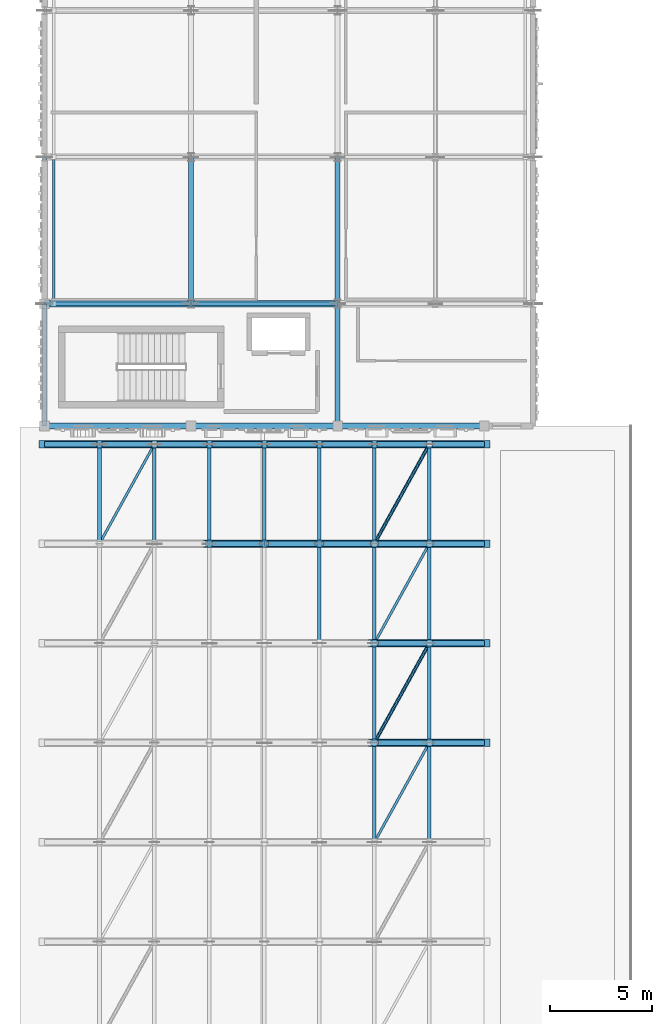
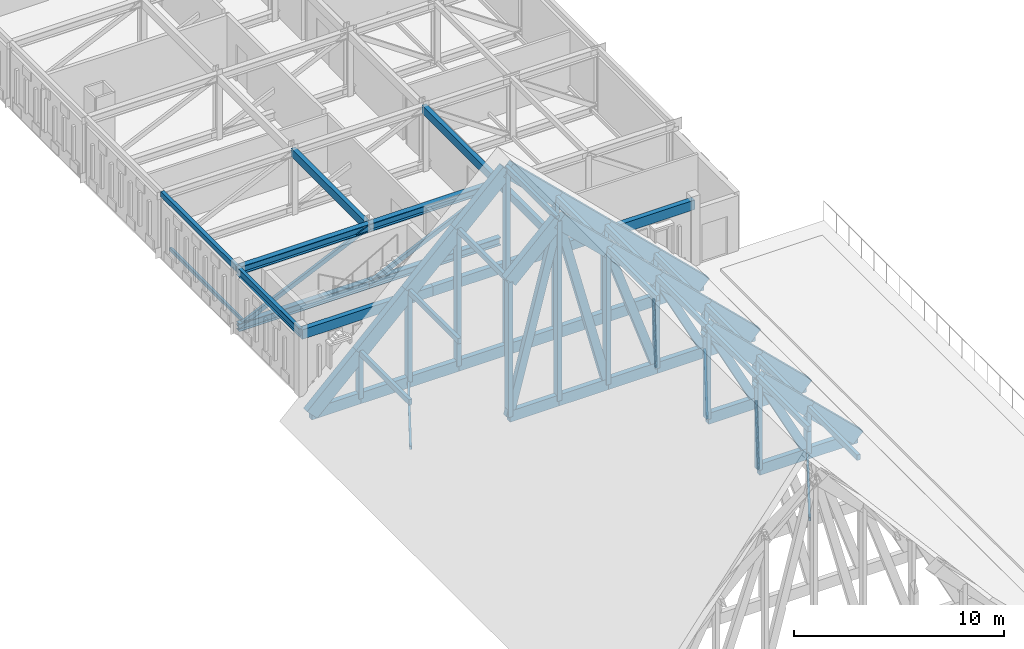
# One storey, part 9 of 79: 82 members, 8 beams.
"""IFC4 building model written with IfcOpenShell, lengths in metres."""

from ifc_helpers import new_model, si_unit, direction, frame, origin, origin_2d, place, context, subcontext, project, spatial, rectangle, hollow_rectangle, hollow_circle, i_section, extrude, material, material_profile, profile_set, type_object, element, save


model = new_model("IFC4")

# Units and contexts
model_context = context("Model", 3, precision=1e-05, world=origin(), true_north=direction((0.0, 1.0)))
body_context = subcontext(model_context, "Body", "Model", "MODEL_VIEW")
ifc_project = project(units=[si_unit("LENGTHUNIT", "METRE"), si_unit("AREAUNIT", "SQUARE_METRE"), si_unit("VOLUMEUNIT", "CUBIC_METRE"), si_unit("PLANEANGLEUNIT", "RADIAN"), si_unit("MASSUNIT", "GRAM", prefix="KILO")], contexts=[model_context])

# Site, building, storey
site_placement = place(None, origin())
site = spatial("IfcSite", under=ifc_project, at=site_placement, CompositionType="ELEMENT")
building_placement = place(site_placement, origin())
building = spatial("IfcBuilding", under=site, at=building_placement, Name="Nzembalo Square Collegiate School", CompositionType="ELEMENT")
storey_placement = place(building_placement, frame((0.0, 0.0, 9.52001953125)))
storey = spatial("IfcBuildingStorey", under=building, at=storey_placement, Name="L02", CompositionType="ELEMENT", Elevation=9.52001953125)

# Beams
ifc_material_1 = material(Name="Glulam GL28h", Category="wood")
ifc_material_profile_1 = material_profile(ifc_material_1, rectangle(XDim=0.280029296875, YDim=0.56005859375, at=origin_2d()), Name="GL28h 280x560")
ifc_profile_set_1 = profile_set([ifc_material_profile_1], Name="Glulam GL28h")
beam_type_1 = type_object("IfcBeamType", Name="B05", PredefinedType="BEAM", material=ifc_profile_set_1)
beam_1_placement = place(storey_placement, frame((8.39990234375, 44.39990234375, 3.5048828125), z_axis=(1.0, 0.0, 0.0), x_axis=(0.0, 1.0, 0.0)))
element("IfcBeam", 1, at=beam_1_placement, inside=storey, type_object=beam_type_1, Name="Beam B05 L02", PredefinedType="BEAM", context=body_context, shape_type="SweptSolid", body=[
    extrude(rectangle(XDim=0.280029296875, YDim=0.56005859375, at=origin_2d()), origin(), (0.0, 0.0, 1.0), 7.2001953125),
])
for number, where, z_axis, x_axis, name in (
    (2, (15.60009765625, 44.39990234375, 3.5048828125), (1.0, 0.0, 0.0), (0.0, 1.0, 0.0), "Beam B05 L02"),
    (3, (22.800048828125, 44.39990234375, 3.5048828125), (1.0, 0.0, 0.0), (0.0, 1.0, 0.0), "Beam B05 L02"),
):
    element("IfcBeam", number, at=place(storey_placement, frame(where, z_axis=z_axis, x_axis=x_axis)), inside=storey, type_object=beam_type_1, Name=name, PredefinedType="BEAM", context=body_context, shape_type="SweptSolid", body=[
        extrude(rectangle(XDim=0.280029296875, YDim=0.56005859375, at=origin_2d()), origin(), (0.0, 0.0, 1.0), 7.199951171875),
    ])
ifc_material_2 = material(Name="Glulam GL28h", Category="wood")
ifc_material_profile_2 = material_profile(ifc_material_2, rectangle(XDim=0.239990234375, YDim=0.47998046875, at=origin_2d()), Name="GL28h 240x480")
ifc_profile_set_2 = profile_set([ifc_material_profile_2], Name="Glulam GL28h")
beam_type_2 = type_object("IfcBeamType", Name="B06", PredefinedType="BEAM", material=ifc_profile_set_2)
beam_2_placement = place(storey_placement, frame((15.60009765625, 50.39990234375, 3.544921875), z_axis=(0.0, 1.0, 0.0), x_axis=(-1.0, 0.0, 0.0)))
element("IfcBeam", 4, at=beam_2_placement, inside=storey, type_object=beam_type_2, Name="Beam B06 L02", PredefinedType="BEAM", context=body_context, shape_type="SweptSolid", body=[
    extrude(rectangle(XDim=0.239990234375, YDim=0.47998046875, at=origin_2d()), origin(), (0.0, 0.0, 1.0), 7.2001953125),
])
beam_3_placement = place(storey_placement, frame((22.800048828125, 44.39990234375, 3.544921875), z_axis=(0.0, 1.0, 0.0), x_axis=(-1.0, 0.0, 0.0)))
element("IfcBeam", 5, at=beam_3_placement, inside=storey, type_object=beam_type_2, Name="Beam B06 L02", PredefinedType="BEAM", context=body_context, shape_type="SweptSolid", body=[
    extrude(rectangle(XDim=0.239990234375, YDim=0.47998046875, at=origin_2d()), origin(), (0.0, 0.0, 1.0), 6.0),
])
beam_4_placement = place(storey_placement, frame((22.800048828125, 50.39990234375, 3.544921875), z_axis=(0.0, 1.0, 0.0), x_axis=(-1.0, 0.0, 0.0)))
element("IfcBeam", 6, at=beam_4_placement, inside=storey, type_object=beam_type_2, Name="Beam B06 L02", PredefinedType="BEAM", context=body_context, shape_type="SweptSolid", body=[
    extrude(rectangle(XDim=0.239990234375, YDim=0.47998046875, at=origin_2d()), origin(), (0.0, 0.0, 1.0), 7.2001953125),
])
ifc_material_3 = material(Name="Steel S355", Category="steel")
ifc_material_profile_3 = material_profile(ifc_material_3, i_section(OverallWidth=0.18994140625, OverallDepth=0.449951171875, WebThickness=0.009521484375, FlangeThickness=0.0146484375, at=origin_2d()), Name="IPE 450")
ifc_profile_set_3 = profile_set([ifc_material_profile_3], Name="Steel S355")
beam_type_3 = type_object("IfcBeamType", Name="B09", PredefinedType="BEAM", material=ifc_profile_set_3)
beam_5_placement = place(storey_placement, frame((8.39990234375, 44.39990234375, 3.56005859375), z_axis=(0.0, 1.0, 0.0), x_axis=(-1.0, 0.0, 0.0)))
element("IfcBeam", 7, at=beam_5_placement, inside=storey, type_object=beam_type_3, Name="Beam B09 L02", PredefinedType="BEAM", context=body_context, shape_type="SweptSolid", body=[
    extrude(i_section(OverallWidth=0.18994140625, OverallDepth=0.449951171875, WebThickness=0.009521484375, FlangeThickness=0.0146484375, at=origin_2d()), origin(), (0.0, 0.0, 1.0), 6.0),
])
ifc_material_4 = material(Name="Steel S355", Category="steel")
ifc_material_profile_4 = material_profile(ifc_material_4, hollow_rectangle(XDim=0.199951171875, YDim=0.300048828125, WallThickness=0.011962890625, at=origin_2d()), Name="RHS 300x200x12")
ifc_profile_set_4 = profile_set([ifc_material_profile_4], Name="Steel S355")
beam_type_4 = type_object("IfcBeamType", Name="SP03", PredefinedType="SPANDREL", material=ifc_profile_set_4)
beam_6_placement = place(storey_placement, frame((8.39990234375, 50.39990234375, 3.635009765625), z_axis=(0.0, 1.0, 0.0), x_axis=(-1.0, 0.0, 0.0)))
element("IfcBeam", 8, at=beam_6_placement, inside=storey, type_object=beam_type_4, Name="Cantilever edge beam SP03 4A L02", PredefinedType="SPANDREL", context=body_context, shape_type="SweptSolid", body=[
    extrude(hollow_rectangle(XDim=0.199951171875, YDim=0.300048828125, WallThickness=0.011962890625, at=origin_2d()), origin(), (0.0, 0.0, 1.0), 7.2001953125),
])

# Members
ifc_material_5 = material(Name="Steel S355", Category="steel")
ifc_material_profile_5 = material_profile(ifc_material_5, hollow_circle(Radius=0.083984375, WallThickness=0.008056640625, at=origin_2d()), Name="CHS 168x8")
ifc_profile_set_5 = profile_set([ifc_material_profile_5], Name="Steel S355")
member_type_1 = type_object("IfcMemberType", Name="BR01", PredefinedType="BRACE", material=ifc_profile_set_5)
for number, where, z_axis, x_axis, name in (
    (9, (24.60009765625, 28.843017578125, -0.60009765625), (0.483695810536, 0.875236175481, 0.0), (-0.875236175481, 0.483695810536, 0.0), "Roof wind brace BR01 GT-SH1-06-6"),
    (10, (24.60009765625, 38.6142578125, -0.60009765625), (0.483677294843, 0.875246407849, 0.0), (-0.875246407849, 0.483677294843, 0.0), "Roof wind brace BR01 GT-SH1-08-6"),
):
    element("IfcMember", number, at=place(storey_placement, frame(where, z_axis=z_axis, x_axis=x_axis)), inside=storey, type_object=member_type_1, Name=name, PredefinedType="BRACE", context=body_context, shape_type="SweptSolid", body=[
        extrude(hollow_circle(Radius=0.083984375, WallThickness=0.008056640625, at=origin_2d()), origin(), (0.0, 0.0, 1.0), 5.58203125),
    ])
ifc_material_6 = material(Name="Steel S355", Category="steel")
ifc_material_profile_6 = material_profile(ifc_material_6, hollow_rectangle(XDim=0.1201171875, YDim=0.199951171875, WallThickness=0.008056640625, at=origin_2d()), Name="RHS 200x120x8")
ifc_profile_set_6 = profile_set([ifc_material_profile_6], Name="Steel S355")
member_type_2 = type_object("IfcMemberType", Name="BR02", PredefinedType="BRACE", material=ifc_profile_set_6)
member_1_placement = place(storey_placement, frame((24.60009765625, 23.95703125, -0.60009765625), z_axis=(0.483658780352, 0.875256639043, 0.0), x_axis=(-0.875256639043, 0.483658780352, 0.0)))
element("IfcMember", 11, at=member_1_placement, inside=storey, type_object=member_type_2, Name="Roof wind brace BR02 GT-SH1-05-6", PredefinedType="BRACE", context=body_context, shape_type="SweptSolid", body=[
    extrude(hollow_rectangle(XDim=0.1201171875, YDim=0.199951171875, WallThickness=0.008056640625, at=origin_2d()), origin(), (0.0, 0.0, 1.0), 5.582275390625),
])
for number, where, z_axis, x_axis, name in (
    (12, (24.60009765625, 33.728515625, -0.60009765625), (0.483677294843, 0.875246407849, 0.0), (-0.875246407849, 0.483677294843, 0.0), "Roof wind brace BR02 GT-SH1-07-6"),
    (13, (11.10009765625, 38.6142578125, -0.60009765625), (0.483677294843, 0.875246407849, 0.0), (-0.875246407849, 0.483677294843, 0.0), "Roof wind brace BR02 GT-SH1-08-1"),
):
    element("IfcMember", number, at=place(storey_placement, frame(where, z_axis=z_axis, x_axis=x_axis)), inside=storey, type_object=member_type_2, Name=name, PredefinedType="BRACE", context=body_context, shape_type="SweptSolid", body=[
        extrude(hollow_rectangle(XDim=0.1201171875, YDim=0.199951171875, WallThickness=0.008056640625, at=origin_2d()), origin(), (0.0, 0.0, 1.0), 5.58203125),
    ])
member_2_placement = place(storey_placement, frame((8.85009765625, 50.39990234375, 0.260009765625), z_axis=(0.0, 1.0, 0.0), x_axis=(-1.0, 0.0, 0.0)))
element("IfcMember", 14, at=member_2_placement, inside=storey, type_object=member_type_2, Name="Cantilever outer bottom-chord tie 4A", PredefinedType="BRACE", context=body_context, shape_type="SweptSolid", body=[
    extrude(hollow_rectangle(XDim=0.1201171875, YDim=0.199951171875, WallThickness=0.008056640625, at=origin_2d()), origin(), (0.0, 0.0, 1.0), 7.2001953125),
])
ifc_material_7 = material(Name="Glulam GL28h", Category="wood")
ifc_material_profile_7 = material_profile(ifc_material_7, rectangle(XDim=0.179931640625, YDim=0.320068359375, at=origin_2d()), Name="GL28h 180x320")
ifc_profile_set_7 = profile_set([ifc_material_profile_7], Name="Glulam GL28h")
member_type_3 = type_object("IfcMemberType", Name="PR01", PredefinedType="PURLIN", material=ifc_profile_set_7)
for number, where, z_axis, x_axis, name in (
    (15, (24.60009765625, 23.95703125, 4.675048828125), (0.0, 1.0, 0.0), (-1.0, 0.0, 0.0), "Roof purlin PR01 GT-SH1-05-6"),
    (16, (27.300048828125, 23.95703125, 2.058349609375), (0.0, 1.0, 0.0), (-1.0, 0.0, 0.0), "Roof purlin PR01 GT-SH1-05-7"),
):
    element("IfcMember", number, at=place(storey_placement, frame(where, z_axis=z_axis, x_axis=x_axis)), inside=storey, type_object=member_type_3, Name=name, PredefinedType="PURLIN", context=body_context, shape_type="SweptSolid", body=[
        extrude(rectangle(XDim=0.179931640625, YDim=0.320068359375, at=origin_2d()), origin(), (0.0, 0.0, 1.0), 4.885986328125),
    ])
for number, where, z_axis, x_axis, name in (
    (17, (24.60009765625, 28.843017578125, 4.675048828125), (0.0, 1.0, 0.0), (-1.0, 0.0, 0.0), "Roof purlin PR01 GT-SH1-06-6"),
    (18, (27.300048828125, 28.843017578125, 2.058349609375), (0.0, 1.0, 0.0), (-1.0, 0.0, 0.0), "Roof purlin PR01 GT-SH1-06-7"),
):
    element("IfcMember", number, at=place(storey_placement, frame(where, z_axis=z_axis, x_axis=x_axis)), inside=storey, type_object=member_type_3, Name=name, PredefinedType="PURLIN", context=body_context, shape_type="SweptSolid", body=[
        extrude(rectangle(XDim=0.179931640625, YDim=0.320068359375, at=origin_2d()), origin(), (0.0, 0.0, 1.0), 4.885498046875),
    ])
for number, where, z_axis, x_axis, name in (
    (19, (21.89990234375, 33.728515625, 7.2900390625), (0.0, 1.0, 0.0), (-1.0, 0.0, 0.0), "Roof purlin PR01 GT-SH1-07-5"),
    (20, (24.60009765625, 33.728515625, 4.675048828125), (0.0, 1.0, 0.0), (-1.0, 0.0, 0.0), "Roof purlin PR01 GT-SH1-07-6"),
    (21, (27.300048828125, 33.728515625, 2.058349609375), (0.0, 1.0, 0.0), (-1.0, 0.0, 0.0), "Roof purlin PR01 GT-SH1-07-7"),
    (22, (11.10009765625, 38.6142578125, 2.058349609375), (0.0, 1.0, 0.0), (-1.0, 0.0, 0.0), "Roof purlin PR01 GT-SH1-08-1"),
    (23, (13.800048828125, 38.6142578125, 4.675048828125), (0.0, 1.0, 0.0), (-1.0, 0.0, 0.0), "Roof purlin PR01 GT-SH1-08-2"),
    (24, (16.5, 38.6142578125, 7.2900390625), (0.0, 1.0, 0.0), (-1.0, 0.0, 0.0), "Roof purlin PR01 GT-SH1-08-3"),
    (25, (19.199951171875, 38.6142578125, 9.905029296875), (0.0, 1.0, 0.0), (-1.0, 0.0, 0.0), "Roof purlin PR01 GT-SH1-08-4"),
    (26, (21.89990234375, 38.6142578125, 7.2900390625), (0.0, 1.0, 0.0), (-1.0, 0.0, 0.0), "Roof purlin PR01 GT-SH1-08-5"),
    (27, (24.60009765625, 38.6142578125, 4.675048828125), (0.0, 1.0, 0.0), (-1.0, 0.0, 0.0), "Roof purlin PR01 GT-SH1-08-6"),
    (28, (27.300048828125, 38.6142578125, 2.058349609375), (0.0, 1.0, 0.0), (-1.0, 0.0, 0.0), "Roof purlin PR01 GT-SH1-08-7"),
):
    element("IfcMember", number, at=place(storey_placement, frame(where, z_axis=z_axis, x_axis=x_axis)), inside=storey, type_object=member_type_3, Name=name, PredefinedType="PURLIN", context=body_context, shape_type="SweptSolid", body=[
        extrude(rectangle(XDim=0.179931640625, YDim=0.320068359375, at=origin_2d()), origin(), (0.0, 0.0, 1.0), 4.8857421875),
    ])
ifc_material_8 = material(Name="Glulam GL32h", Category="wood")
ifc_material_profile_8 = material_profile(ifc_material_8, rectangle(XDim=0.360107421875, YDim=0.800048828125, at=origin_2d()), Name="GL32h 360x800")
ifc_profile_set_8 = profile_set([ifc_material_profile_8], Name="Glulam GL32h")
member_type_4 = type_object("IfcMemberType", Name="TC01", PredefinedType="CHORD", material=ifc_profile_set_8)
for number, where, z_axis, x_axis, name in (
    (29, (24.60009765625, 28.843017578125, 4.6298828125), (0.71831832581, 0.0, -0.695714584298), (0.0, 1.0, 0.0), "GT-SH1-05 top chord 7"),
    (30, (27.300048828125, 28.843017578125, 2.014892578125), (0.71831832581, 0.0, -0.695714584298), (0.0, 1.0, 0.0), "GT-SH1-05 top chord 8"),
    (31, (24.60009765625, 33.728515625, 4.6298828125), (0.71831832581, 0.0, -0.695714584298), (0.0, 1.0, 0.0), "GT-SH1-06 top chord 7"),
    (32, (27.300048828125, 33.728515625, 2.014892578125), (0.71831832581, 0.0, -0.695714584298), (0.0, 1.0, 0.0), "GT-SH1-06 top chord 8"),
    (33, (16.5, 38.6142578125, 7.244873046875), (0.71831832581, 0.0, 0.695714584298), (0.0, 1.0, 0.0), "GT-SH1-07 top chord 4"),
    (34, (19.199951171875, 38.6142578125, 9.85986328125), (0.71831832581, 0.0, -0.695714584298), (0.0, 1.0, 0.0), "GT-SH1-07 top chord 5"),
    (35, (21.89990234375, 38.6142578125, 7.244873046875), (0.718349762218, 0.0, -0.695682125056), (0.0, 1.0, 0.0), "GT-SH1-07 top chord 6"),
    (36, (24.60009765625, 38.6142578125, 4.6298828125), (0.71831832581, 0.0, -0.695714584298), (0.0, 1.0, 0.0), "GT-SH1-07 top chord 7"),
    (37, (27.300048828125, 38.6142578125, 2.014892578125), (0.71831832581, 0.0, -0.695714584298), (0.0, 1.0, 0.0), "GT-SH1-07 top chord 8"),
    (38, (8.39990234375, 43.5, -0.60009765625), (0.718349762218, 0.0, 0.695682125056), (0.0, 1.0, 0.0), "GT-SH1-08 top chord 1"),
    (39, (11.10009765625, 43.5, 2.014892578125), (0.71831832581, 0.0, 0.695714584298), (0.0, 1.0, 0.0), "GT-SH1-08 top chord 2"),
    (40, (13.800048828125, 43.5, 4.6298828125), (0.71831832581, 0.0, 0.695714584298), (0.0, 1.0, 0.0), "GT-SH1-08 top chord 3"),
    (41, (16.5, 43.5, 7.244873046875), (0.71831832581, 0.0, 0.695714584298), (0.0, 1.0, 0.0), "GT-SH1-08 top chord 4"),
    (42, (19.199951171875, 43.5, 9.85986328125), (0.71831832581, 0.0, -0.695714584298), (0.0, 1.0, 0.0), "GT-SH1-08 top chord 5"),
    (43, (21.89990234375, 43.5, 7.244873046875), (0.718349762218, 0.0, -0.695682125056), (0.0, 1.0, 0.0), "GT-SH1-08 top chord 6"),
    (44, (24.60009765625, 43.5, 4.6298828125), (0.71831832581, 0.0, -0.695714584298), (0.0, 1.0, 0.0), "GT-SH1-08 top chord 7"),
    (45, (27.300048828125, 43.5, 2.014892578125), (0.71831832581, 0.0, -0.695714584298), (0.0, 1.0, 0.0), "GT-SH1-08 top chord 8"),
):
    element("IfcMember", number, at=place(storey_placement, frame(where, z_axis=z_axis, x_axis=x_axis)), inside=storey, type_object=member_type_4, Name=name, PredefinedType="CHORD", context=body_context, shape_type="SweptSolid", body=[
        extrude(rectangle(XDim=0.360107421875, YDim=0.800048828125, at=origin_2d()), origin(), (0.0, 0.0, 1.0), 3.7587890625),
    ])
ifc_material_9 = material(Name="Glulam GL32h", Category="wood")
ifc_material_profile_9 = material_profile(ifc_material_9, rectangle(XDim=0.280029296875, YDim=0.639892578125, at=origin_2d()), Name="GL32h 280x640")
ifc_profile_set_9 = profile_set([ifc_material_profile_9], Name="Glulam GL32h")
member_type_5 = type_object("IfcMemberType", Name="TC02", PredefinedType="CHORD", material=ifc_profile_set_9)
for number, where, z_axis, x_axis, name in (
    (46, (24.60009765625, 28.843017578125, -0.60009765625), (1.0, 0.0, 0.0), (0.0, 1.0, 0.0), "GT-SH1-05 bottom chord 7"),
    (47, (27.300048828125, 28.843017578125, -0.60009765625), (1.0, 0.0, 0.0), (0.0, 1.0, 0.0), "GT-SH1-05 bottom chord 8"),
    (48, (24.60009765625, 33.728515625, -0.60009765625), (1.0, 0.0, 0.0), (0.0, 1.0, 0.0), "GT-SH1-06 bottom chord 7"),
    (49, (27.300048828125, 33.728515625, -0.60009765625), (1.0, 0.0, 0.0), (0.0, 1.0, 0.0), "GT-SH1-06 bottom chord 8"),
    (50, (16.5, 38.6142578125, -0.60009765625), (1.0, 0.0, 0.0), (0.0, 1.0, 0.0), "GT-SH1-07 bottom chord 4"),
    (51, (19.199951171875, 38.6142578125, -0.60009765625), (1.0, 0.0, 0.0), (0.0, 1.0, 0.0), "GT-SH1-07 bottom chord 5"),
):
    element("IfcMember", number, at=place(storey_placement, frame(where, z_axis=z_axis, x_axis=x_axis)), inside=storey, type_object=member_type_5, Name=name, PredefinedType="CHORD", context=body_context, shape_type="SweptSolid", body=[
        extrude(rectangle(XDim=0.280029296875, YDim=0.639892578125, at=origin_2d()), origin(), (0.0, 0.0, 1.0), 2.699951171875),
    ])
member_3_placement = place(storey_placement, frame((21.89990234375, 38.6142578125, -0.60009765625), z_axis=(1.0, 0.0, 0.0), x_axis=(0.0, 1.0, 0.0)))
element("IfcMember", 52, at=member_3_placement, inside=storey, type_object=member_type_5, Name="GT-SH1-07 bottom chord 6", PredefinedType="CHORD", context=body_context, shape_type="SweptSolid", body=[
    extrude(rectangle(XDim=0.280029296875, YDim=0.639892578125, at=origin_2d()), origin(), (0.0, 0.0, 1.0), 2.7001953125),
])
for number, where, z_axis, x_axis, name in (
    (53, (24.60009765625, 38.6142578125, -0.60009765625), (1.0, 0.0, 0.0), (0.0, 1.0, 0.0), "GT-SH1-07 bottom chord 7"),
    (54, (27.300048828125, 38.6142578125, -0.60009765625), (1.0, 0.0, 0.0), (0.0, 1.0, 0.0), "GT-SH1-07 bottom chord 8"),
):
    element("IfcMember", number, at=place(storey_placement, frame(where, z_axis=z_axis, x_axis=x_axis)), inside=storey, type_object=member_type_5, Name=name, PredefinedType="CHORD", context=body_context, shape_type="SweptSolid", body=[
        extrude(rectangle(XDim=0.280029296875, YDim=0.639892578125, at=origin_2d()), origin(), (0.0, 0.0, 1.0), 2.699951171875),
    ])
member_4_placement = place(storey_placement, frame((8.39990234375, 43.5, -0.60009765625), z_axis=(1.0, 0.0, 0.0), x_axis=(0.0, 1.0, 0.0)))
element("IfcMember", 55, at=member_4_placement, inside=storey, type_object=member_type_5, Name="GT-SH1-08 bottom chord 1", PredefinedType="CHORD", context=body_context, shape_type="SweptSolid", body=[
    extrude(rectangle(XDim=0.280029296875, YDim=0.639892578125, at=origin_2d()), origin(), (0.0, 0.0, 1.0), 2.7001953125),
])
for number, where, z_axis, x_axis, name in (
    (56, (11.10009765625, 43.5, -0.60009765625), (1.0, 0.0, 0.0), (0.0, 1.0, 0.0), "GT-SH1-08 bottom chord 2"),
    (57, (13.800048828125, 43.5, -0.60009765625), (1.0, 0.0, 0.0), (0.0, 1.0, 0.0), "GT-SH1-08 bottom chord 3"),
    (58, (16.5, 43.5, -0.60009765625), (1.0, 0.0, 0.0), (0.0, 1.0, 0.0), "GT-SH1-08 bottom chord 4"),
    (59, (19.199951171875, 43.5, -0.60009765625), (1.0, 0.0, 0.0), (0.0, 1.0, 0.0), "GT-SH1-08 bottom chord 5"),
):
    element("IfcMember", number, at=place(storey_placement, frame(where, z_axis=z_axis, x_axis=x_axis)), inside=storey, type_object=member_type_5, Name=name, PredefinedType="CHORD", context=body_context, shape_type="SweptSolid", body=[
        extrude(rectangle(XDim=0.280029296875, YDim=0.639892578125, at=origin_2d()), origin(), (0.0, 0.0, 1.0), 2.699951171875),
    ])
member_5_placement = place(storey_placement, frame((21.89990234375, 43.5, -0.60009765625), z_axis=(1.0, 0.0, 0.0), x_axis=(0.0, 1.0, 0.0)))
element("IfcMember", 60, at=member_5_placement, inside=storey, type_object=member_type_5, Name="GT-SH1-08 bottom chord 6", PredefinedType="CHORD", context=body_context, shape_type="SweptSolid", body=[
    extrude(rectangle(XDim=0.280029296875, YDim=0.639892578125, at=origin_2d()), origin(), (0.0, 0.0, 1.0), 2.7001953125),
])
for number, where, z_axis, x_axis, name in (
    (61, (24.60009765625, 43.5, -0.60009765625), (1.0, 0.0, 0.0), (0.0, 1.0, 0.0), "GT-SH1-08 bottom chord 7"),
    (62, (27.300048828125, 43.5, -0.60009765625), (1.0, 0.0, 0.0), (0.0, 1.0, 0.0), "GT-SH1-08 bottom chord 8"),
):
    element("IfcMember", number, at=place(storey_placement, frame(where, z_axis=z_axis, x_axis=x_axis)), inside=storey, type_object=member_type_5, Name=name, PredefinedType="CHORD", context=body_context, shape_type="SweptSolid", body=[
        extrude(rectangle(XDim=0.280029296875, YDim=0.639892578125, at=origin_2d()), origin(), (0.0, 0.0, 1.0), 2.699951171875),
    ])
ifc_material_10 = material(Name="Steel S355", Category="steel")
ifc_material_profile_10 = material_profile(ifc_material_10, i_section(OverallWidth=0.300048828125, OverallDepth=0.449951171875, WebThickness=0.013916015625, FlangeThickness=0.02587890625, at=origin_2d()), Name="HEB 450")
ifc_profile_set_10 = profile_set([ifc_material_profile_10], Name="Steel S355")
member_type_6 = type_object("IfcMemberType", Name="TC03", PredefinedType="CHORD", material=ifc_profile_set_10)
for number, where, z_axis, x_axis, name in (
    (63, (8.39990234375, 50.39990234375, 3.56005859375), (1.0, 0.0, 0.0), (0.0, 1.0, 0.0), "TT-4A-01 top chord 1"),
    (64, (8.39990234375, 50.39990234375, 0.260009765625), (1.0, 0.0, 0.0), (0.0, 1.0, 0.0), "TT-4A-01 bottom chord 1"),
):
    element("IfcMember", number, at=place(storey_placement, frame(where, z_axis=z_axis, x_axis=x_axis)), inside=storey, type_object=member_type_6, Name=name, PredefinedType="CHORD", context=body_context, shape_type="SweptSolid", body=[
        extrude(i_section(OverallWidth=0.300048828125, OverallDepth=0.449951171875, WebThickness=0.013916015625, FlangeThickness=0.02587890625, at=origin_2d()), origin(), (0.0, 0.0, 1.0), 7.2001953125),
    ])
for number, where, z_axis, x_axis, name in (
    (65, (15.60009765625, 50.39990234375, 3.56005859375), (1.0, 0.0, 0.0), (0.0, 1.0, 0.0), "TT-4A-01 top chord 2"),
    (66, (15.60009765625, 50.39990234375, 0.260009765625), (1.0, 0.0, 0.0), (0.0, 1.0, 0.0), "TT-4A-01 bottom chord 2"),
):
    element("IfcMember", number, at=place(storey_placement, frame(where, z_axis=z_axis, x_axis=x_axis)), inside=storey, type_object=member_type_6, Name=name, PredefinedType="CHORD", context=body_context, shape_type="SweptSolid", body=[
        extrude(i_section(OverallWidth=0.300048828125, OverallDepth=0.449951171875, WebThickness=0.013916015625, FlangeThickness=0.02587890625, at=origin_2d()), origin(), (0.0, 0.0, 1.0), 7.199951171875),
    ])
ifc_material_11 = material(Name="Glulam GL32h", Category="wood")
ifc_material_profile_11 = material_profile(ifc_material_11, rectangle(XDim=0.280029296875, YDim=0.43994140625, at=origin_2d()), Name="GL32h 280x440")
ifc_profile_set_11 = profile_set([ifc_material_profile_11], Name="Glulam GL32h")
member_type_7 = type_object("IfcMemberType", Name="TD01", PredefinedType="BRACE", material=ifc_profile_set_11)
for number, where, z_axis, x_axis, name in (
    (67, (27.300048828125, 28.843017578125, -0.60009765625), (-0.458724275369, 0.0, 0.888578662352), (0.0, -1.0, 0.0), "GT-SH1-05 web diagonal 6"),
    (68, (27.300048828125, 33.728515625, -0.60009765625), (-0.458724275369, 0.0, 0.888578662352), (0.0, -1.0, 0.0), "GT-SH1-06 web diagonal 6"),
):
    element("IfcMember", number, at=place(storey_placement, frame(where, z_axis=z_axis, x_axis=x_axis)), inside=storey, type_object=member_type_7, Name=name, PredefinedType="BRACE", context=body_context, shape_type="SweptSolid", body=[
        extrude(rectangle(XDim=0.280029296875, YDim=0.43994140625, at=origin_2d()), origin(), (0.0, 0.0, 1.0), 5.8857421875),
    ])
for number, where, z_axis, x_axis, name in (
    (69, (16.5, 38.6142578125, -0.60009765625), (0.249930648512, 0.0, 0.96826374038), (0.0, 1.0, 0.0), "GT-SH1-07 web diagonal 3"),
    (70, (21.89990234375, 38.6142578125, -0.60009765625), (-0.249930648512, 0.0, 0.96826374038), (0.0, -1.0, 0.0), "GT-SH1-07 web diagonal 4"),
):
    element("IfcMember", number, at=place(storey_placement, frame(where, z_axis=z_axis, x_axis=x_axis)), inside=storey, type_object=member_type_7, Name=name, PredefinedType="BRACE", context=body_context, shape_type="SweptSolid", body=[
        extrude(rectangle(XDim=0.280029296875, YDim=0.43994140625, at=origin_2d()), origin(), (0.0, 0.0, 1.0), 10.802734375),
    ])
member_6_placement = place(storey_placement, frame((24.60009765625, 38.6142578125, -0.60009765625), z_axis=(-0.325455577893, 0.0, 0.945557331323), x_axis=(0.0, -1.0, 0.0)))
element("IfcMember", 71, at=member_6_placement, inside=storey, type_object=member_type_7, Name="GT-SH1-07 web diagonal 5", PredefinedType="BRACE", context=body_context, shape_type="SweptSolid", body=[
    extrude(rectangle(XDim=0.280029296875, YDim=0.43994140625, at=origin_2d()), origin(), (0.0, 0.0, 1.0), 8.296630859375),
])
member_7_placement = place(storey_placement, frame((27.300048828125, 38.6142578125, -0.60009765625), z_axis=(-0.458724275369, 0.0, 0.888578662352), x_axis=(0.0, -1.0, 0.0)))
element("IfcMember", 72, at=member_7_placement, inside=storey, type_object=member_type_7, Name="GT-SH1-07 web diagonal 6", PredefinedType="BRACE", context=body_context, shape_type="SweptSolid", body=[
    extrude(rectangle(XDim=0.280029296875, YDim=0.43994140625, at=origin_2d()), origin(), (0.0, 0.0, 1.0), 5.8857421875),
])
ifc_material_12 = material(Name="Steel S355", Category="steel")
ifc_material_profile_12 = material_profile(ifc_material_12, hollow_rectangle(XDim=0.14990234375, YDim=0.25, WallThickness=0.010009765625, at=origin_2d()), Name="RHS 250x150x10")
ifc_profile_set_12 = profile_set([ifc_material_profile_12], Name="Steel S355")
member_type_8 = type_object("IfcMemberType", Name="TD03", PredefinedType="BRACE", material=ifc_profile_set_12)
member_8_placement = place(storey_placement, frame((8.39990234375, 50.39990234375, 0.260009765625), z_axis=(0.909066768744, 0.0, 0.416650464977), x_axis=(0.0, 1.0, 0.0)))
element("IfcMember", 73, at=member_8_placement, inside=storey, type_object=member_type_8, Name="TT-4A-01 web diagonal 1", PredefinedType="BRACE", context=body_context, shape_type="SweptSolid", body=[
    extrude(hollow_rectangle(XDim=0.14990234375, YDim=0.25, WallThickness=0.010009765625, at=origin_2d()), origin(), (0.0, 0.0, 1.0), 7.92041015625),
])
member_9_placement = place(storey_placement, frame((15.60009765625, 50.39990234375, 0.260009765625), z_axis=(0.909061417515, 0.0, 0.416662140332), x_axis=(0.0, 1.0, 0.0)))
element("IfcMember", 74, at=member_9_placement, inside=storey, type_object=member_type_8, Name="TT-4A-01 web diagonal 2", PredefinedType="BRACE", context=body_context, shape_type="SweptSolid", body=[
    extrude(hollow_rectangle(XDim=0.14990234375, YDim=0.25, WallThickness=0.010009765625, at=origin_2d()), origin(), (0.0, 0.0, 1.0), 7.920166015625),
])
ifc_material_13 = material(Name="Glulam GL32h", Category="wood")
ifc_material_profile_13 = material_profile(ifc_material_13, rectangle(XDim=0.239990234375, YDim=0.360107421875, at=origin_2d()), Name="GL32h 240x360")
ifc_profile_set_13 = profile_set([ifc_material_profile_13], Name="Glulam GL32h")
member_type_9 = type_object("IfcMemberType", Name="TP01", PredefinedType="POST", material=ifc_profile_set_13)
member_10_placement = place(storey_placement, frame((24.60009765625, 28.843017578125, -0.60009765625), z_axis=(0.0, 0.0, 1.0), x_axis=(1.0, 0.0, 0.0)))
element("IfcMember", 75, at=member_10_placement, inside=storey, type_object=member_type_9, Name="GT-SH1-05 vertical post 6", PredefinedType="POST", context=body_context, shape_type="SweptSolid", body=[
    extrude(rectangle(XDim=0.239990234375, YDim=0.360107421875, at=origin_2d()), origin(), (0.0, 0.0, 1.0), 5.22998046875),
])
member_11_placement = place(storey_placement, frame((27.300048828125, 28.843017578125, -0.60009765625), z_axis=(0.0, 0.0, 1.0), x_axis=(1.0, 0.0, 0.0)))
element("IfcMember", 76, at=member_11_placement, inside=storey, type_object=member_type_9, Name="GT-SH1-05 vertical post 7", PredefinedType="POST", context=body_context, shape_type="SweptSolid", body=[
    extrude(rectangle(XDim=0.239990234375, YDim=0.360107421875, at=origin_2d()), origin(), (0.0, 0.0, 1.0), 2.614990234375),
])
member_12_placement = place(storey_placement, frame((24.60009765625, 33.728515625, -0.60009765625), z_axis=(0.0, 0.0, 1.0), x_axis=(1.0, 0.0, 0.0)))
element("IfcMember", 77, at=member_12_placement, inside=storey, type_object=member_type_9, Name="GT-SH1-06 vertical post 6", PredefinedType="POST", context=body_context, shape_type="SweptSolid", body=[
    extrude(rectangle(XDim=0.239990234375, YDim=0.360107421875, at=origin_2d()), origin(), (0.0, 0.0, 1.0), 5.22998046875),
])
member_13_placement = place(storey_placement, frame((27.300048828125, 33.728515625, -0.60009765625), z_axis=(0.0, 0.0, 1.0), x_axis=(1.0, 0.0, 0.0)))
element("IfcMember", 78, at=member_13_placement, inside=storey, type_object=member_type_9, Name="GT-SH1-06 vertical post 7", PredefinedType="POST", context=body_context, shape_type="SweptSolid", body=[
    extrude(rectangle(XDim=0.239990234375, YDim=0.360107421875, at=origin_2d()), origin(), (0.0, 0.0, 1.0), 2.614990234375),
])
member_14_placement = place(storey_placement, frame((16.5, 38.6142578125, -0.60009765625), z_axis=(0.0, 0.0, 1.0), x_axis=(1.0, 0.0, 0.0)))
element("IfcMember", 79, at=member_14_placement, inside=storey, type_object=member_type_9, Name="GT-SH1-07 vertical post 3", PredefinedType="POST", context=body_context, shape_type="SweptSolid", body=[
    extrude(rectangle(XDim=0.239990234375, YDim=0.360107421875, at=origin_2d()), origin(), (0.0, 0.0, 1.0), 7.844970703125),
])
member_15_placement = place(storey_placement, frame((19.199951171875, 38.6142578125, -0.60009765625), z_axis=(0.0, 0.0, 1.0), x_axis=(1.0, 0.0, 0.0)))
element("IfcMember", 80, at=member_15_placement, inside=storey, type_object=member_type_9, Name="GT-SH1-07 vertical post 4", PredefinedType="POST", context=body_context, shape_type="SweptSolid", body=[
    extrude(rectangle(XDim=0.239990234375, YDim=0.360107421875, at=origin_2d()), origin(), (0.0, 0.0, 1.0), 10.4599609375),
])
member_16_placement = place(storey_placement, frame((21.89990234375, 38.6142578125, -0.60009765625), z_axis=(0.0, 0.0, 1.0), x_axis=(1.0, 0.0, 0.0)))
element("IfcMember", 81, at=member_16_placement, inside=storey, type_object=member_type_9, Name="GT-SH1-07 vertical post 5", PredefinedType="POST", context=body_context, shape_type="SweptSolid", body=[
    extrude(rectangle(XDim=0.239990234375, YDim=0.360107421875, at=origin_2d()), origin(), (0.0, 0.0, 1.0), 7.844970703125),
])
member_17_placement = place(storey_placement, frame((24.60009765625, 38.6142578125, -0.60009765625), z_axis=(0.0, 0.0, 1.0), x_axis=(1.0, 0.0, 0.0)))
element("IfcMember", 82, at=member_17_placement, inside=storey, type_object=member_type_9, Name="GT-SH1-07 vertical post 6", PredefinedType="POST", context=body_context, shape_type="SweptSolid", body=[
    extrude(rectangle(XDim=0.239990234375, YDim=0.360107421875, at=origin_2d()), origin(), (0.0, 0.0, 1.0), 5.22998046875),
])
for number, where, z_axis, x_axis, name in (
    (83, (27.300048828125, 38.6142578125, -0.60009765625), (0.0, 0.0, 1.0), (1.0, 0.0, 0.0), "GT-SH1-07 vertical post 7"),
    (84, (11.10009765625, 43.5, -0.60009765625), (0.0, 0.0, 1.0), (1.0, 0.0, 0.0), "GT-SH1-08 vertical post 1"),
):
    element("IfcMember", number, at=place(storey_placement, frame(where, z_axis=z_axis, x_axis=x_axis)), inside=storey, type_object=member_type_9, Name=name, PredefinedType="POST", context=body_context, shape_type="SweptSolid", body=[
        extrude(rectangle(XDim=0.239990234375, YDim=0.360107421875, at=origin_2d()), origin(), (0.0, 0.0, 1.0), 2.614990234375),
    ])
member_18_placement = place(storey_placement, frame((13.800048828125, 43.5, -0.60009765625), z_axis=(0.0, 0.0, 1.0), x_axis=(1.0, 0.0, 0.0)))
element("IfcMember", 85, at=member_18_placement, inside=storey, type_object=member_type_9, Name="GT-SH1-08 vertical post 2", PredefinedType="POST", context=body_context, shape_type="SweptSolid", body=[
    extrude(rectangle(XDim=0.239990234375, YDim=0.360107421875, at=origin_2d()), origin(), (0.0, 0.0, 1.0), 5.22998046875),
])
member_19_placement = place(storey_placement, frame((16.5, 43.5, -0.60009765625), z_axis=(0.0, 0.0, 1.0), x_axis=(1.0, 0.0, 0.0)))
element("IfcMember", 86, at=member_19_placement, inside=storey, type_object=member_type_9, Name="GT-SH1-08 vertical post 3", PredefinedType="POST", context=body_context, shape_type="SweptSolid", body=[
    extrude(rectangle(XDim=0.239990234375, YDim=0.360107421875, at=origin_2d()), origin(), (0.0, 0.0, 1.0), 7.844970703125),
])
member_20_placement = place(storey_placement, frame((19.199951171875, 43.5, -0.60009765625), z_axis=(0.0, 0.0, 1.0), x_axis=(1.0, 0.0, 0.0)))
element("IfcMember", 87, at=member_20_placement, inside=storey, type_object=member_type_9, Name="GT-SH1-08 vertical post 4", PredefinedType="POST", context=body_context, shape_type="SweptSolid", body=[
    extrude(rectangle(XDim=0.239990234375, YDim=0.360107421875, at=origin_2d()), origin(), (0.0, 0.0, 1.0), 10.4599609375),
])
member_21_placement = place(storey_placement, frame((21.89990234375, 43.5, -0.60009765625), z_axis=(0.0, 0.0, 1.0), x_axis=(1.0, 0.0, 0.0)))
element("IfcMember", 88, at=member_21_placement, inside=storey, type_object=member_type_9, Name="GT-SH1-08 vertical post 5", PredefinedType="POST", context=body_context, shape_type="SweptSolid", body=[
    extrude(rectangle(XDim=0.239990234375, YDim=0.360107421875, at=origin_2d()), origin(), (0.0, 0.0, 1.0), 7.844970703125),
])
member_22_placement = place(storey_placement, frame((24.60009765625, 43.5, -0.60009765625), z_axis=(0.0, 0.0, 1.0), x_axis=(1.0, 0.0, 0.0)))
element("IfcMember", 89, at=member_22_placement, inside=storey, type_object=member_type_9, Name="GT-SH1-08 vertical post 6", PredefinedType="POST", context=body_context, shape_type="SweptSolid", body=[
    extrude(rectangle(XDim=0.239990234375, YDim=0.360107421875, at=origin_2d()), origin(), (0.0, 0.0, 1.0), 5.22998046875),
])
member_23_placement = place(storey_placement, frame((27.300048828125, 43.5, -0.60009765625), z_axis=(0.0, 0.0, 1.0), x_axis=(1.0, 0.0, 0.0)))
element("IfcMember", 90, at=member_23_placement, inside=storey, type_object=member_type_9, Name="GT-SH1-08 vertical post 7", PredefinedType="POST", context=body_context, shape_type="SweptSolid", body=[
    extrude(rectangle(XDim=0.239990234375, YDim=0.360107421875, at=origin_2d()), origin(), (0.0, 0.0, 1.0), 2.614990234375),
])

save(model, "model.ifc")
